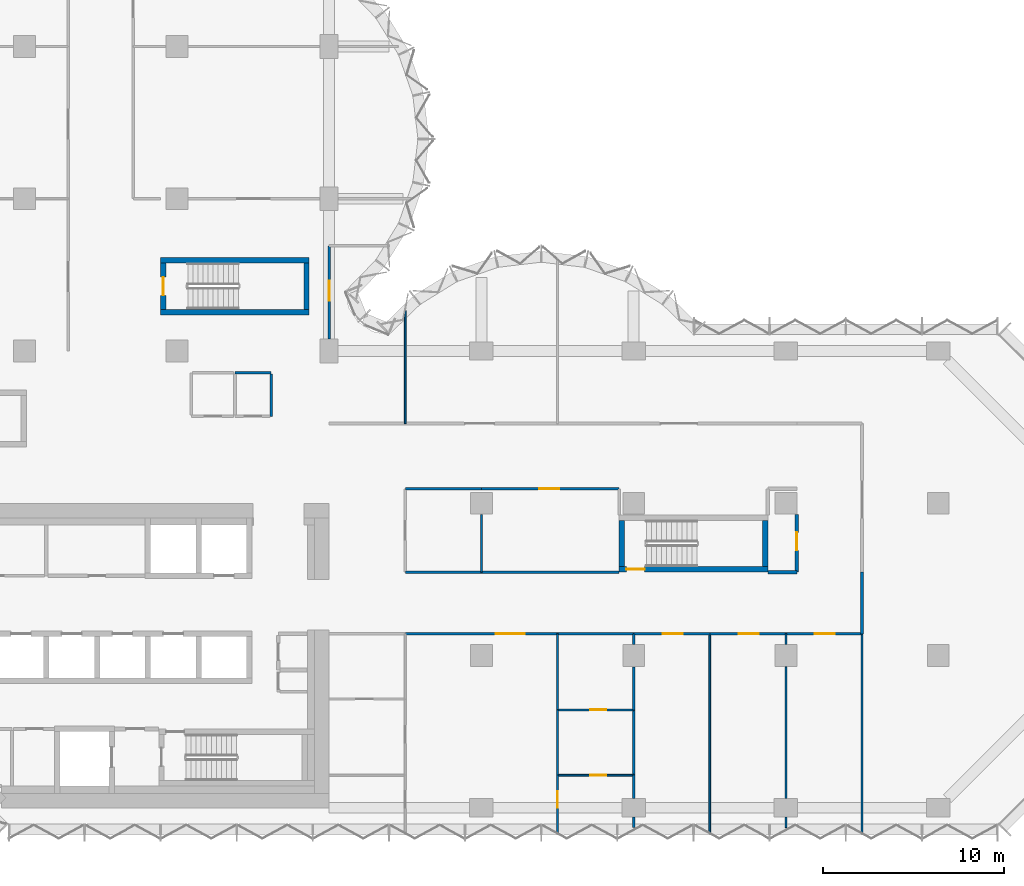
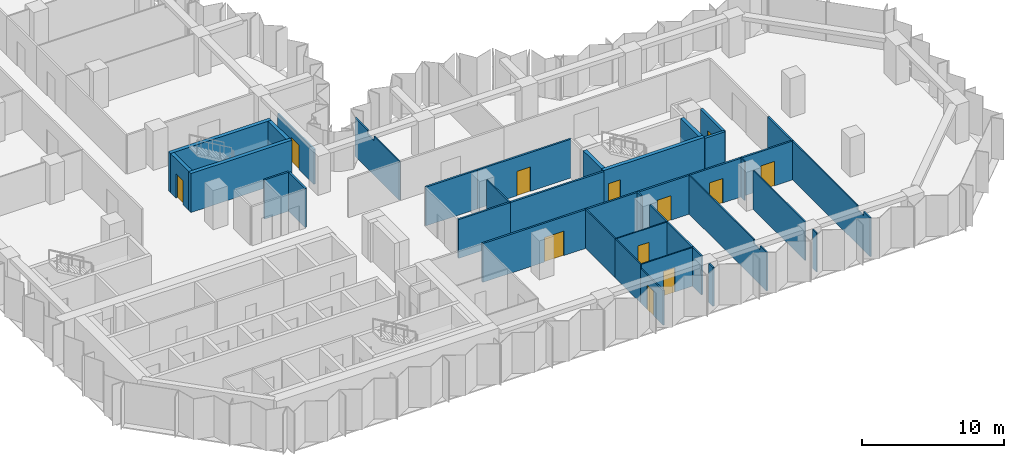
# One storey, part 9 of 13: 39 walls, 12 doors, 12 openings.
"""IFC4 building model written with IfcOpenShell, lengths in metres."""

from ifc_helpers import new_model, si_unit, direction, frame, frame_2d, origin, place, context, subcontext, project, spatial, polyline, rectangle, outline, extrude, material, layer, layer_set, type_object, element, fill, save


model = new_model("IFC4")

# Units and contexts
model_context = context("Model", 3, precision=1e-05, world=origin(), true_north=direction((0.0, 1.0)))
body_context = subcontext(model_context, "Body", "Model", "MODEL_VIEW")
ifc_project = project(units=[si_unit("LENGTHUNIT", "METRE"), si_unit("AREAUNIT", "SQUARE_METRE"), si_unit("VOLUMEUNIT", "CUBIC_METRE"), si_unit("PLANEANGLEUNIT", "RADIAN"), si_unit("MASSUNIT", "GRAM", prefix="KILO")], contexts=[model_context])

# Site, building, storey
site_placement = place(None, origin())
site = spatial("IfcSite", under=ifc_project, at=site_placement, CompositionType="ELEMENT")
building_placement = place(site_placement, origin())
building = spatial("IfcBuilding", under=site, at=building_placement, Name="Brevane Broadcast Tower", CompositionType="ELEMENT")
storey_placement = place(building_placement, frame((0.0, 0.0, 102.5)))
storey = spatial("IfcBuildingStorey", under=building, at=storey_placement, Name="L24", CompositionType="ELEMENT", Elevation=102.5)

# Walls
ifc_material_1 = material(Name="Gypsum board on steel studs", Category="steel")
ifc_layer_1 = layer(ifc_material_1, 0.14990234375)
ifc_layer_set_1 = layer_set([ifc_layer_1], Name="Core fire partition 150 mm")
wall_type_1 = type_object("IfcWallType", Name="Core fire partition 150 mm", PredefinedType="PARTITIONING", material=ifc_layer_set_1)
wall_1_placement = place(storey_placement, frame((20.0, 24.0, 0.0), z_axis=(0.0, 0.0, 1.0), x_axis=(1.0, 0.0, 0.0)))
element("IfcWall", 1, at=wall_1_placement, inside=storey, type_object=wall_type_1, Name="L24 partition wall P15", PredefinedType="PARTITIONING", context=body_context, shape_type="SweptSolid", body=[
    extrude(rectangle(XDim=2.0, YDim=0.14990234375, at=frame_2d((1.0, 0.0))), origin(), (0.0, 0.0, 1.0), 3.35009765625),
])
wall_2_placement = place(storey_placement, frame((22.0, 23.925048828125, 0.0), z_axis=(0.0, 0.0, 1.0), x_axis=(0.0, -1.0, 0.0)))
element("IfcWall", 2, at=wall_2_placement, inside=storey, type_object=wall_type_1, Name="L24 partition wall P16", PredefinedType="PARTITIONING", context=body_context, shape_type="SweptSolid", body=[
    extrude(rectangle(XDim=2.324951171875, YDim=0.14990234375, at=frame_2d((1.16259765625, 0.0))), origin(), (0.0, 0.0, 1.0), 3.35009765625),
])
ifc_material_2 = material(Name="Concrete C60/75", Category="concrete")
ifc_layer_2 = layer(ifc_material_2, 0.300048828125)
ifc_layer_set_2 = layer_set([ifc_layer_2], Name="Core wall 300 mm C60/75")
wall_type_2 = type_object("IfcWallType", Name="Core wall 300 mm C60/75", PredefinedType="SHEAR", material=ifc_layer_set_2)
for number, where, z_axis, x_axis, name in (
    (3, (15.89990234375, 27.35009765625, 0.0), (0.0, 0.0, 1.0), (1.0, 0.0, 0.0), "L24 stair wall ST-3-S"),
    (4, (15.89990234375, 30.199951171875, 0.0), (0.0, 0.0, 1.0), (1.0, 0.0, 0.0), "L24 stair wall ST-3-N"),
):
    element("IfcWall", number, at=place(storey_placement, frame(where, z_axis=z_axis, x_axis=x_axis)), inside=storey, type_object=wall_type_2, Name=name, PredefinedType="SHEAR", context=body_context, shape_type="SweptSolid", body=[
        extrude(rectangle(XDim=8.2001953125, YDim=0.300048828125, at=frame_2d((4.10009765625, 0.0))), origin(), (0.0, 0.0, 1.0), 3.35009765625),
    ])

# Wall, opening, door
wall_3_placement = place(storey_placement, frame((16.050048828125, 27.5, 0.0), z_axis=(0.0, 0.0, 1.0), x_axis=(0.0, 1.0, 0.0)))
wall_3 = element("IfcWall", 5, at=wall_3_placement, inside=storey, type_object=wall_type_2, Name="L24 stair wall ST-3-W", PredefinedType="SHEAR", context=body_context, shape_type="SweptSolid", body=[
    extrude(rectangle(XDim=2.550048828125, YDim=0.300048828125, at=frame_2d((1.27490234375, 0.0))), origin(), (0.0, 0.0, 1.0), 3.35009765625),
])
opening_1_placement = place(wall_3_placement, frame((0.77490234375, 0.0, 0.0)))
opening_1 = element("IfcOpeningElement", 6, at=opening_1_placement, cuts=wall_3, Name="Opening L24-K14", PredefinedType="OPENING", context=body_context, shape_type="SweptSolid", body=[
    extrude(rectangle(XDim=1.0, YDim=2.10009765625, at=frame_2d((0.5, 1.050048828125))), frame((0.0, 0.159912109375, 0.0), z_axis=(0.0, -1.0, 0.0), x_axis=(1.0, 0.0, 0.0)), (0.0, 0.0, 1.0), 0.320068359375),
])
ifc_material_3 = material(Name="Steel", Category="steel")
door_type_1 = type_object("IfcDoorType", Name="Stair door 1000 x 2100", OperationType="SINGLE_SWING_LEFT", PredefinedType="DOOR", material=ifc_material_3)
door_1_placement = place(opening_1_placement, origin())
door_1 = element("IfcDoor", 7, at=door_1_placement, inside=storey, type_object=door_type_1, Name="Door L24-K14", OperationType="SINGLE_SWING_RIGHT", OverallHeight=2.10009765625, OverallWidth=1.0, PredefinedType="DOOR", context=body_context, shape_type="SweptSolid", body=[
    extrude(rectangle(XDim=1.0, YDim=2.10009765625, at=frame_2d((0.5, 1.050048828125))), frame((0.0, 0.02490234375, 0.0), z_axis=(0.0, -1.0, 0.0), x_axis=(1.0, 0.0, 0.0)), (0.0, 0.0, 1.0), 0.050048828125),
])
fill(opening_1, door_1)

# Wall
wall_4_placement = place(storey_placement, frame((23.949951171875, 27.5, 0.0), z_axis=(0.0, 0.0, 1.0), x_axis=(0.0, 1.0, 0.0)))
element("IfcWall", 8, at=wall_4_placement, inside=storey, type_object=wall_type_2, Name="L24 stair wall ST-3-E", PredefinedType="SHEAR", context=body_context, shape_type="SweptSolid", body=[
    extrude(rectangle(XDim=2.550048828125, YDim=0.300048828125, at=frame_2d((1.27490234375, 0.0))), origin(), (0.0, 0.0, 1.0), 3.35009765625),
])

# Wall, opening, door
wall_5_placement = place(storey_placement, frame((49.39990234375, 13.14990234375, 0.0), z_axis=(0.0, 0.0, 1.0), x_axis=(-1.0, 0.0, 0.0)))
wall_5 = element("IfcWall", 9, at=wall_5_placement, inside=storey, type_object=wall_type_2, Name="L24 stair wall ST-4-S", PredefinedType="SHEAR", context=body_context, shape_type="SweptSolid", body=[
    extrude(rectangle(XDim=8.199951171875, YDim=0.300048828125, at=frame_2d((4.10009765625, 0.0))), origin(), (0.0, 0.0, 1.0), 3.35009765625),
])
opening_2_placement = place(wall_5_placement, frame((6.800048828125, 0.0, 0.0)))
opening_2 = element("IfcOpeningElement", 10, at=opening_2_placement, cuts=wall_5, Name="Opening L24-K15", PredefinedType="OPENING", context=body_context, shape_type="SweptSolid", body=[
    extrude(rectangle(XDim=1.0, YDim=2.10009765625, at=frame_2d((0.5, 1.050048828125))), frame((0.0, 0.159912109375, 0.0), z_axis=(0.0, -1.0, 0.0), x_axis=(1.0, 0.0, 0.0)), (0.0, 0.0, 1.0), 0.320068359375),
])
door_2_placement = place(opening_2_placement, origin())
door_2 = element("IfcDoor", 11, at=door_2_placement, inside=storey, type_object=door_type_1, Name="Door L24-K15", OperationType="SINGLE_SWING_LEFT", OverallHeight=2.10009765625, OverallWidth=1.0, PredefinedType="DOOR", context=body_context, shape_type="SweptSolid", body=[
    extrude(rectangle(XDim=1.0, YDim=2.10009765625, at=frame_2d((0.5, 1.050048828125))), frame((0.0, 0.02490234375, 0.0), z_axis=(0.0, -1.0, 0.0), x_axis=(1.0, 0.0, 0.0)), (0.0, 0.0, 1.0), 0.050048828125),
])
fill(opening_2, door_2)

# Walls
for number, where, z_axis, x_axis, name in (
    (12, (41.35009765625, 13.300048828125, 0.0), (0.0, 0.0, 1.0), (0.0, 1.0, 0.0), "L24 stair wall ST-4-W"),
    (13, (49.25, 13.300048828125, 0.0), (0.0, 0.0, 1.0), (0.0, 1.0, 0.0), "L24 stair wall ST-4-E"),
):
    element("IfcWall", number, at=place(storey_placement, frame(where, z_axis=z_axis, x_axis=x_axis)), inside=storey, type_object=wall_type_2, Name=name, PredefinedType="SHEAR", context=body_context, shape_type="SweptSolid", body=[
        extrude(rectangle(XDim=2.550048828125, YDim=0.300048828125, at=frame_2d((1.27490234375, 0.0))), origin(), (0.0, 0.0, 1.0), 3.35009765625),
    ])
ifc_material_4 = material(Name="Gypsum board partition")
ifc_layer_3 = layer(ifc_material_4, 0.10009765625)
ifc_layer_set_3 = layer_set([ifc_layer_3], Name="PARTITION 100 STUD")
wall_type_3 = type_object("IfcWallType", Name="PARTITION 100 STUD", PredefinedType="PARTITIONING", material=ifc_layer_set_3)
wall_6_placement = place(storey_placement, frame((29.39990234375, 27.428955078125, 0.0), z_axis=(0.0, 0.0, 1.0), x_axis=(0.0, -1.0, 0.0)))
element("IfcWall", 14, at=wall_6_placement, inside=storey, type_object=wall_type_3, Name="Partition G07-004", PredefinedType="PARTITIONING", context=body_context, shape_type="SweptSolid", body=[
    extrude(outline(polyline([(0.0, 0.0), (6.22900390625, 0.0), (6.22900390625, 3.330078125), (2.678955078125, 3.330078125), (2.677001953125, 2.97998046875), (1.781005859375, 2.97998046875), (1.779052734375, 3.330078125), (0.154052734375, 3.330078125), (0.0, 3.330078125), (0.0, 0.0)])), frame((0.0, 0.050048828125, 0.0), z_axis=(0.0, -1.0, 0.0), x_axis=(1.0, 0.0, 0.0)), (0.0, 0.0, 1.0), 0.10009765625),
])
wall_7_placement = place(storey_placement, frame((54.60009765625, -1.364990234375, 0.0), z_axis=(0.0, 0.0, 1.0), x_axis=(0.0, 1.0, 0.0)))
element("IfcWall", 15, at=wall_7_placement, inside=storey, type_object=wall_type_3, Name="Partition G07-017", PredefinedType="PARTITIONING", context=body_context, shape_type="SweptSolid", body=[
    extrude(outline(polyline([(0.0, 0.0), (10.965087890625, 0.0), (10.965087890625, 3.330078125), (1.81494140625, 3.330078125), (1.81298828125, 2.97998046875), (0.9169921875, 2.97998046875), (0.9150390625, 3.330078125), (0.264892578125, 3.330078125), (0.0, 3.330078125), (0.0, 0.0)])), frame((0.0, 0.050048828125, 0.0), z_axis=(0.0, -1.0, 0.0), x_axis=(1.0, 0.0, 0.0)), (0.0, 0.0, 1.0), 0.10009765625),
])
wall_8_placement = place(storey_placement, frame((33.60009765625, 16.179931640625, 0.0), z_axis=(0.0, 0.0, 1.0), x_axis=(0.0, -1.0, 0.0)))
element("IfcWall", 16, at=wall_8_placement, inside=storey, type_object=wall_type_3, Name="Partition G07-027", PredefinedType="PARTITIONING", context=body_context, shape_type="SweptSolid", body=[
    extrude(rectangle(XDim=3.179931640625, YDim=0.10009765625, at=frame_2d((1.58984375, 0.0))), origin(), (0.0, 0.0, 1.0), 3.330078125),
])

# Wall, opening, door
wall_9_placement = place(storey_placement, frame((37.800048828125, 1.800048828125, 0.0), z_axis=(0.0, 0.0, 1.0), x_axis=(0.0, -1.0, 0.0)))
wall_9 = element("IfcWall", 17, at=wall_9_placement, inside=storey, type_object=wall_type_3, Name="Partition G07-028", PredefinedType="PARTITIONING", context=body_context, shape_type="SweptSolid", body=[
    extrude(rectangle(XDim=3.1650390625, YDim=0.10009765625, at=frame_2d((1.58251953125, 0.0))), origin(), (0.0, 0.0, 1.0), 2.97998046875),
])
opening_3_placement = place(wall_9_placement, frame((0.89990234375, 0.0, 0.0)))
opening_3 = element("IfcOpeningElement", 18, at=opening_3_placement, cuts=wall_9, Name="Opening D14-007", PredefinedType="OPENING", context=body_context, shape_type="SweptSolid", body=[
    extrude(rectangle(XDim=0.89990234375, YDim=2.10009765625, at=frame_2d((0.449951171875, 1.050048828125))), frame((0.0, 0.06005859375, 0.0), z_axis=(0.0, -1.0, 0.0), x_axis=(1.0, 0.0, 0.0)), (0.0, 0.0, 1.0), 0.1201171875),
])
ifc_material_5 = material(Name="Timber door leaf", Category="wood")
door_type_2 = type_object("IfcDoorType", Name="DOOR SINGLE 900 INTERNAL", OperationType="SINGLE_SWING_LEFT", PredefinedType="DOOR", material=ifc_material_5)
door_3_placement = place(opening_3_placement, origin())
door_3 = element("IfcDoor", 19, at=door_3_placement, inside=storey, type_object=door_type_2, Name="Door D14-007", OperationType="SINGLE_SWING_LEFT", OverallHeight=2.10009765625, OverallWidth=0.89990234375, PredefinedType="DOOR", context=body_context, shape_type="SweptSolid", body=[
    extrude(rectangle(XDim=0.89990234375, YDim=2.10009765625, at=frame_2d((0.449951171875, 1.050048828125))), frame((0.0, 0.02490234375, 0.0), z_axis=(0.0, -1.0, 0.0), x_axis=(1.0, 0.0, 0.0)), (0.0, 0.0, 1.0), 0.050048828125),
])
fill(opening_3, door_3)

# Walls
wall_10_placement = place(storey_placement, frame((37.800048828125, 5.39990234375, 0.0), z_axis=(0.0, 0.0, 1.0), x_axis=(0.0, -1.0, 0.0)))
element("IfcWall", 20, at=wall_10_placement, inside=storey, type_object=wall_type_3, Name="Partition G07-029", PredefinedType="PARTITIONING", context=body_context, shape_type="SweptSolid", body=[
    extrude(rectangle(XDim=3.599853515625, YDim=0.10009765625, at=frame_2d((1.7998046875, 0.0))), origin(), (0.0, 0.0, 1.0), 3.330078125),
])
wall_11_placement = place(storey_placement, frame((37.800048828125, 9.60009765625, 0.0), z_axis=(0.0, 0.0, 1.0), x_axis=(0.0, -1.0, 0.0)))
element("IfcWall", 21, at=wall_11_placement, inside=storey, type_object=wall_type_3, Name="Partition G07-030", PredefinedType="PARTITIONING", context=body_context, shape_type="SweptSolid", body=[
    extrude(rectangle(XDim=4.2001953125, YDim=0.10009765625, at=frame_2d((2.10009765625, 0.0))), origin(), (0.0, 0.0, 1.0), 3.330078125),
])

# Wall, opening, door
wall_12_placement = place(storey_placement, frame((37.800048828125, 1.800048828125, 0.0), z_axis=(0.0, 0.0, 1.0), x_axis=(1.0, 0.0, 0.0)))
wall_12 = element("IfcWall", 22, at=wall_12_placement, inside=storey, type_object=wall_type_3, Name="Partition G07-034", PredefinedType="PARTITIONING", context=body_context, shape_type="SweptSolid", body=[
    extrude(rectangle(XDim=4.199951171875, YDim=0.10009765625, at=frame_2d((2.10009765625, 0.0))), origin(), (0.0, 0.0, 1.0), 3.330078125),
])
opening_4_placement = place(wall_12_placement, frame((1.800048828125, 0.0, 0.0)))
opening_4 = element("IfcOpeningElement", 23, at=opening_4_placement, cuts=wall_12, Name="Opening D14-008", PredefinedType="OPENING", context=body_context, shape_type="SweptSolid", body=[
    extrude(rectangle(XDim=0.89990234375, YDim=2.10009765625, at=frame_2d((0.449951171875, 1.050048828125))), frame((0.0, 0.06005859375, 0.0), z_axis=(0.0, -1.0, 0.0), x_axis=(1.0, 0.0, 0.0)), (0.0, 0.0, 1.0), 0.1201171875),
])
door_4_placement = place(opening_4_placement, origin())
door_4 = element("IfcDoor", 24, at=door_4_placement, inside=storey, type_object=door_type_2, Name="Door D14-008", OperationType="SINGLE_SWING_LEFT", OverallHeight=2.10009765625, OverallWidth=0.89990234375, PredefinedType="DOOR", context=body_context, shape_type="SweptSolid", body=[
    extrude(rectangle(XDim=0.89990234375, YDim=2.10009765625, at=frame_2d((0.449951171875, 1.050048828125))), frame((0.0, 0.02490234375, 0.0), z_axis=(0.0, -1.0, 0.0), x_axis=(1.0, 0.0, 0.0)), (0.0, 0.0, 1.0), 0.050048828125),
])
fill(opening_4, door_4)

wall_13_placement = place(storey_placement, frame((37.800048828125, 5.39990234375, 0.0), z_axis=(0.0, 0.0, 1.0), x_axis=(1.0, 0.0, 0.0)))
wall_13 = element("IfcWall", 25, at=wall_13_placement, inside=storey, type_object=wall_type_3, Name="Partition G07-037", PredefinedType="PARTITIONING", context=body_context, shape_type="SweptSolid", body=[
    extrude(rectangle(XDim=4.199951171875, YDim=0.10009765625, at=frame_2d((2.10009765625, 0.0))), origin(), (0.0, 0.0, 1.0), 3.330078125),
])
opening_5_placement = place(wall_13_placement, frame((1.800048828125, 0.0, 0.0)))
opening_5 = element("IfcOpeningElement", 26, at=opening_5_placement, cuts=wall_13, Name="Opening D14-009", PredefinedType="OPENING", context=body_context, shape_type="SweptSolid", body=[
    extrude(rectangle(XDim=0.89990234375, YDim=2.10009765625, at=frame_2d((0.449951171875, 1.050048828125))), frame((0.0, 0.06005859375, 0.0), z_axis=(0.0, -1.0, 0.0), x_axis=(1.0, 0.0, 0.0)), (0.0, 0.0, 1.0), 0.1201171875),
])
door_5_placement = place(opening_5_placement, origin())
door_5 = element("IfcDoor", 27, at=door_5_placement, inside=storey, type_object=door_type_2, Name="Door D14-009", OperationType="SINGLE_SWING_LEFT", OverallHeight=2.10009765625, OverallWidth=0.89990234375, PredefinedType="DOOR", context=body_context, shape_type="SweptSolid", body=[
    extrude(rectangle(XDim=0.89990234375, YDim=2.10009765625, at=frame_2d((0.449951171875, 1.050048828125))), frame((0.0, 0.02490234375, 0.0), z_axis=(0.0, -1.0, 0.0), x_axis=(1.0, 0.0, 0.0)), (0.0, 0.0, 1.0), 0.050048828125),
])
fill(opening_5, door_5)

# Walls
wall_14_placement = place(storey_placement, frame((46.199951171875, 9.60009765625, 0.0), z_axis=(0.0, 0.0, 1.0), x_axis=(0.0, -1.0, 0.0)))
element("IfcWall", 28, at=wall_14_placement, inside=storey, type_object=wall_type_3, Name="Partition G07-043", PredefinedType="PARTITIONING", context=body_context, shape_type="SweptSolid", body=[
    extrude(outline(polyline([(0.0, 0.0), (10.965087890625, 0.0), (10.965087890625, 3.330078125), (10.699951171875, 3.330078125), (10.050048828125, 3.330078125), (10.048095703125, 2.97998046875), (9.152099609375, 2.97998046875), (9.14990234375, 3.330078125), (0.0, 3.330078125), (0.0, 0.0)])), frame((0.0, 0.050048828125, 0.0), z_axis=(0.0, -1.0, 0.0), x_axis=(1.0, 0.0, 0.0)), (0.0, 0.0, 1.0), 0.10009765625),
])
wall_15_placement = place(storey_placement, frame((50.39990234375, 9.60009765625, 0.0), z_axis=(0.0, 0.0, 1.0), x_axis=(0.0, -1.0, 0.0)))
element("IfcWall", 29, at=wall_15_placement, inside=storey, type_object=wall_type_3, Name="Partition G07-044", PredefinedType="PARTITIONING", context=body_context, shape_type="SweptSolid", body=[
    extrude(rectangle(XDim=0.580078125, YDim=0.10009765625, at=frame_2d((0.2900390625, 0.0))), origin(), (0.0, 0.0, 1.0), 3.330078125),
])
wall_16_placement = place(storey_placement, frame((50.39990234375, 7.780029296875, 0.0), z_axis=(0.0, 0.0, 1.0), x_axis=(0.0, -1.0, 0.0)))
element("IfcWall", 30, at=wall_16_placement, inside=storey, type_object=wall_type_3, Name="Partition G07-045", PredefinedType="PARTITIONING", context=body_context, shape_type="SweptSolid", body=[
    extrude(rectangle(XDim=7.260009765625, YDim=0.10009765625, at=frame_2d((3.6298828125, 0.0))), origin(), (0.0, 0.0, 1.0), 3.330078125),
])
wall_17_placement = place(storey_placement, frame((50.39990234375, -0.52001953125, 0.0), z_axis=(0.0, 0.0, 1.0), x_axis=(0.0, -1.0, 0.0)))
element("IfcWall", 31, at=wall_17_placement, inside=storey, type_object=wall_type_3, Name="Partition G07-046", PredefinedType="PARTITIONING", context=body_context, shape_type="SweptSolid", body=[
    extrude(rectangle(XDim=0.580078125, YDim=0.10009765625, at=frame_2d((0.2900390625, 0.0))), origin(), (0.0, 0.0, 1.0), 3.330078125),
])
ifc_layer_4 = layer(ifc_material_4, 0.125)
ifc_layer_set_4 = layer_set([ifc_layer_4], Name="PARTITION 125 ACOUSTIC")
wall_type_4 = type_object("IfcWallType", Name="PARTITION 125 ACOUSTIC", PredefinedType="PARTITIONING", material=ifc_layer_set_4)
wall_18_placement = place(storey_placement, frame((42.0, 1.800048828125, 0.0), z_axis=(0.0, 0.0, 1.0), x_axis=(0.0, -1.0, 0.0)))
element("IfcWall", 32, at=wall_18_placement, inside=storey, type_object=wall_type_4, Name="Partition G07-035", PredefinedType="PARTITIONING", context=body_context, shape_type="SweptSolid", body=[
    extrude(rectangle(XDim=1.280029296875, YDim=0.125, at=frame_2d((0.64013671875, 0.0))), origin(), (0.0, 0.0, 1.0), 3.330078125),
])
wall_19_placement = place(storey_placement, frame((42.0, -0.52001953125, 0.0), z_axis=(0.0, 0.0, 1.0), x_axis=(0.0, -1.0, 0.0)))
element("IfcWall", 33, at=wall_19_placement, inside=storey, type_object=wall_type_4, Name="Partition G07-036", PredefinedType="PARTITIONING", context=body_context, shape_type="SweptSolid", body=[
    extrude(rectangle(XDim=0.580078125, YDim=0.125, at=frame_2d((0.2900390625, 0.0))), origin(), (0.0, 0.0, 1.0), 3.330078125),
])
wall_20_placement = place(storey_placement, frame((42.0, 5.39990234375, 0.0), z_axis=(0.0, 0.0, 1.0), x_axis=(0.0, -1.0, 0.0)))
element("IfcWall", 34, at=wall_20_placement, inside=storey, type_object=wall_type_4, Name="Partition G07-038", PredefinedType="PARTITIONING", context=body_context, shape_type="SweptSolid", body=[
    extrude(rectangle(XDim=3.599853515625, YDim=0.125, at=frame_2d((1.7998046875, 0.0))), origin(), (0.0, 0.0, 1.0), 3.330078125),
])
wall_21_placement = place(storey_placement, frame((42.0, 9.60009765625, 0.0), z_axis=(0.0, 0.0, 1.0), x_axis=(0.0, -1.0, 0.0)))
element("IfcWall", 35, at=wall_21_placement, inside=storey, type_object=wall_type_4, Name="Partition G07-039", PredefinedType="PARTITIONING", context=body_context, shape_type="SweptSolid", body=[
    extrude(rectangle(XDim=0.580078125, YDim=0.125, at=frame_2d((0.2900390625, 0.0))), origin(), (0.0, 0.0, 1.0), 3.330078125),
])
wall_22_placement = place(storey_placement, frame((42.0, 7.780029296875, 0.0), z_axis=(0.0, 0.0, 1.0), x_axis=(0.0, -1.0, 0.0)))
element("IfcWall", 36, at=wall_22_placement, inside=storey, type_object=wall_type_4, Name="Partition G07-040", PredefinedType="PARTITIONING", context=body_context, shape_type="SweptSolid", body=[
    extrude(rectangle(XDim=2.380126953125, YDim=0.125, at=frame_2d((1.18994140625, 0.0))), origin(), (0.0, 0.0, 1.0), 3.330078125),
])

# Wall, opening, door
ifc_layer_5 = layer(ifc_material_4, 0.14990234375)
ifc_layer_set_5 = layer_set([ifc_layer_5], Name="PARTITION 150 EI 60")
wall_type_5 = type_object("IfcWallType", Name="PARTITION 150 EI 60", PredefinedType="PARTITIONING", material=ifc_layer_set_5)
wall_23_placement = place(storey_placement, frame((25.199951171875, 31.0, 0.0), z_axis=(0.0, 0.0, 1.0), x_axis=(0.0, -1.0, 0.0)))
wall_23 = element("IfcWall", 37, at=wall_23_placement, inside=storey, type_object=wall_type_5, Name="Partition G07-005", PredefinedType="PARTITIONING", context=body_context, shape_type="SweptSolid", body=[
    extrude(outline(polyline([(0.0, 0.0), (5.1298828125, 0.0), (5.1298828125, 2.97998046875), (0.0, 2.97998046875), (0.0, 0.0)])), frame((0.0, 0.074951171875, 0.0), z_axis=(0.0, -1.0, 0.0), x_axis=(1.0, 0.0, 0.0)), (0.0, 0.0, 1.0), 0.14990234375),
])
opening_6_placement = place(wall_23_placement, frame((1.929931640625, 0.0, 0.0)))
opening_6 = element("IfcOpeningElement", 38, at=opening_6_placement, cuts=wall_23, Name="Opening D14-001", PredefinedType="OPENING", context=body_context, shape_type="SweptSolid", body=[
    extrude(rectangle(XDim=1.10009765625, YDim=2.10009765625, at=frame_2d((0.550048828125, 1.050048828125))), frame((0.0, 0.0849609375, 0.0), z_axis=(0.0, -1.0, 0.0), x_axis=(1.0, 0.0, 0.0)), (0.0, 0.0, 1.0), 0.169921875),
])
ifc_material_6 = material(Name="Fire-rated timber door leaf", Category="wood")
door_type_3 = type_object("IfcDoorType", Name="DOOR SINGLE 1100 FD30S", OperationType="SINGLE_SWING_LEFT", PredefinedType="DOOR", material=ifc_material_6)
door_6_placement = place(opening_6_placement, origin())
door_6 = element("IfcDoor", 39, at=door_6_placement, inside=storey, type_object=door_type_3, Name="Door D14-001", OperationType="SINGLE_SWING_RIGHT", OverallHeight=2.10009765625, OverallWidth=1.10009765625, PredefinedType="DOOR", context=body_context, shape_type="SweptSolid", body=[
    extrude(rectangle(XDim=1.10009765625, YDim=2.10009765625, at=frame_2d((0.550048828125, 1.050048828125))), frame((0.0, 0.02490234375, 0.0), z_axis=(0.0, -1.0, 0.0), x_axis=(1.0, 0.0, 0.0)), (0.0, 0.0, 1.0), 0.050048828125),
])
fill(opening_6, door_6)

# Walls
wall_24_placement = place(storey_placement, frame((54.60009765625, 13.0, 0.0), z_axis=(0.0, 0.0, 1.0), x_axis=(0.0, -1.0, 0.0)))
element("IfcWall", 40, at=wall_24_placement, inside=storey, type_object=wall_type_5, Name="Partition G07-007", PredefinedType="PARTITIONING", context=body_context, shape_type="SweptSolid", body=[
    extrude(rectangle(XDim=3.39990234375, YDim=0.14990234375, at=frame_2d((1.699951171875, 0.0))), origin(), (0.0, 0.0, 1.0), 3.330078125),
])
wall_25_placement = place(storey_placement, frame((29.39990234375, 13.0, 0.0), z_axis=(0.0, 0.0, 1.0), x_axis=(1.0, 0.0, 0.0)))
element("IfcWall", 41, at=wall_25_placement, inside=storey, type_object=wall_type_5, Name="Partition G07-008", PredefinedType="PARTITIONING", context=body_context, shape_type="SweptSolid", body=[
    extrude(rectangle(XDim=4.2001953125, YDim=0.14990234375, at=frame_2d((2.10009765625, 0.0))), origin(), (0.0, 0.0, 1.0), 3.330078125),
])
wall_26_placement = place(storey_placement, frame((33.60009765625, 13.0, 0.0), z_axis=(0.0, 0.0, 1.0), x_axis=(1.0, 0.0, 0.0)))
element("IfcWall", 42, at=wall_26_placement, inside=storey, type_object=wall_type_5, Name="Partition G07-009", PredefinedType="PARTITIONING", context=body_context, shape_type="SweptSolid", body=[
    extrude(rectangle(XDim=7.599853515625, YDim=0.14990234375, at=frame_2d((3.7998046875, 0.0))), origin(), (0.0, 0.0, 1.0), 3.330078125),
])

# Wall, opening, door
wall_27_placement = place(storey_placement, frame((37.800048828125, 9.60009765625, 0.0), z_axis=(0.0, 0.0, 1.0), x_axis=(-1.0, 0.0, 0.0)))
wall_27 = element("IfcWall", 43, at=wall_27_placement, inside=storey, type_object=wall_type_5, Name="Partition G07-011", PredefinedType="PARTITIONING", context=body_context, shape_type="SweptSolid", body=[
    extrude(rectangle(XDim=8.400146484375, YDim=0.14990234375, at=frame_2d((4.2001953125, 0.0))), origin(), (0.0, 0.0, 1.0), 3.330078125),
])
opening_7_placement = place(wall_27_placement, frame((1.800048828125, 0.0, 0.0)))
opening_7 = element("IfcOpeningElement", 44, at=opening_7_placement, cuts=wall_27, Name="Opening D14-006", PredefinedType="OPENING", context=body_context, shape_type="SweptSolid", body=[
    extrude(rectangle(XDim=1.60009765625, YDim=2.10009765625, at=frame_2d((0.800048828125, 1.050048828125))), frame((0.0, 0.0849609375, 0.0), z_axis=(0.0, -1.0, 0.0), x_axis=(1.0, 0.0, 0.0)), (0.0, 0.0, 1.0), 0.169921875),
])
door_type_4 = type_object("IfcDoorType", Name="DOOR DOUBLE 1600 FD30S", OperationType="DOUBLE_DOOR_SINGLE_SWING", PredefinedType="DOOR", material=ifc_material_6)
door_7_placement = place(opening_7_placement, origin())
door_7 = element("IfcDoor", 45, at=door_7_placement, inside=storey, type_object=door_type_4, Name="Door D14-006", OperationType="DOUBLE_DOOR_SINGLE_SWING", OverallHeight=2.10009765625, OverallWidth=1.60009765625, PredefinedType="DOOR", context=body_context, shape_type="SweptSolid", body=[
    extrude(rectangle(XDim=1.60009765625, YDim=2.10009765625, at=frame_2d((0.800048828125, 1.050048828125))), frame((0.0, 0.02490234375, 0.0), z_axis=(0.0, -1.0, 0.0), x_axis=(1.0, 0.0, 0.0)), (0.0, 0.0, 1.0), 0.050048828125),
])
fill(opening_7, door_7)

# Wall
wall_28_placement = place(storey_placement, frame((42.0, 9.60009765625, 0.0), z_axis=(0.0, 0.0, 1.0), x_axis=(-1.0, 0.0, 0.0)))
element("IfcWall", 46, at=wall_28_placement, inside=storey, type_object=wall_type_5, Name="Partition G07-012", PredefinedType="PARTITIONING", context=body_context, shape_type="SweptSolid", body=[
    extrude(rectangle(XDim=4.199951171875, YDim=0.14990234375, at=frame_2d((2.10009765625, 0.0))), origin(), (0.0, 0.0, 1.0), 3.330078125),
])

# Wall, opening, door
wall_29_placement = place(storey_placement, frame((46.199951171875, 9.60009765625, 0.0), z_axis=(0.0, 0.0, 1.0), x_axis=(-1.0, 0.0, 0.0)))
wall_29 = element("IfcWall", 47, at=wall_29_placement, inside=storey, type_object=wall_type_5, Name="Partition G07-013", PredefinedType="PARTITIONING", context=body_context, shape_type="SweptSolid", body=[
    extrude(rectangle(XDim=4.199951171875, YDim=0.14990234375, at=frame_2d((2.10009765625, 0.0))), origin(), (0.0, 0.0, 1.0), 3.330078125),
])
opening_8_placement = place(wall_29_placement, frame((1.5, 0.0, 0.0)))
opening_8 = element("IfcOpeningElement", 48, at=opening_8_placement, cuts=wall_29, Name="Opening D14-013", PredefinedType="OPENING", context=body_context, shape_type="SweptSolid", body=[
    extrude(rectangle(XDim=1.10009765625, YDim=2.10009765625, at=frame_2d((0.550048828125, 1.050048828125))), frame((0.0, 0.0849609375, 0.0), z_axis=(0.0, -1.0, 0.0), x_axis=(1.0, 0.0, 0.0)), (0.0, 0.0, 1.0), 0.169921875),
])
door_8_placement = place(opening_8_placement, origin())
door_8 = element("IfcDoor", 49, at=door_8_placement, inside=storey, type_object=door_type_3, Name="Door D14-013", OperationType="SINGLE_SWING_LEFT", OverallHeight=2.10009765625, OverallWidth=1.10009765625, PredefinedType="DOOR", context=body_context, shape_type="SweptSolid", body=[
    extrude(rectangle(XDim=1.10009765625, YDim=2.10009765625, at=frame_2d((0.550048828125, 1.050048828125))), frame((0.0, 0.02490234375, 0.0), z_axis=(0.0, -1.0, 0.0), x_axis=(1.0, 0.0, 0.0)), (0.0, 0.0, 1.0), 0.050048828125),
])
fill(opening_8, door_8)

wall_30_placement = place(storey_placement, frame((50.39990234375, 9.60009765625, 0.0), z_axis=(0.0, 0.0, 1.0), x_axis=(-1.0, 0.0, 0.0)))
wall_30 = element("IfcWall", 50, at=wall_30_placement, inside=storey, type_object=wall_type_5, Name="Partition G07-014", PredefinedType="PARTITIONING", context=body_context, shape_type="SweptSolid", body=[
    extrude(rectangle(XDim=4.199951171875, YDim=0.14990234375, at=frame_2d((2.10009765625, 0.0))), origin(), (0.0, 0.0, 1.0), 3.330078125),
])
opening_9_placement = place(wall_30_placement, frame((1.5, 0.0, 0.0)))
opening_9 = element("IfcOpeningElement", 51, at=opening_9_placement, cuts=wall_30, Name="Opening D14-014", PredefinedType="OPENING", context=body_context, shape_type="SweptSolid", body=[
    extrude(rectangle(XDim=1.10009765625, YDim=2.10009765625, at=frame_2d((0.550048828125, 1.050048828125))), frame((0.0, 0.0849609375, 0.0), z_axis=(0.0, -1.0, 0.0), x_axis=(1.0, 0.0, 0.0)), (0.0, 0.0, 1.0), 0.169921875),
])
door_9_placement = place(opening_9_placement, origin())
door_9 = element("IfcDoor", 52, at=door_9_placement, inside=storey, type_object=door_type_3, Name="Door D14-014", OperationType="SINGLE_SWING_LEFT", OverallHeight=2.10009765625, OverallWidth=1.10009765625, PredefinedType="DOOR", context=body_context, shape_type="SweptSolid", body=[
    extrude(rectangle(XDim=1.10009765625, YDim=2.10009765625, at=frame_2d((0.550048828125, 1.050048828125))), frame((0.0, 0.02490234375, 0.0), z_axis=(0.0, -1.0, 0.0), x_axis=(1.0, 0.0, 0.0)), (0.0, 0.0, 1.0), 0.050048828125),
])
fill(opening_9, door_9)

wall_31_placement = place(storey_placement, frame((54.60009765625, 9.60009765625, 0.0), z_axis=(0.0, 0.0, 1.0), x_axis=(-1.0, 0.0, 0.0)))
wall_31 = element("IfcWall", 53, at=wall_31_placement, inside=storey, type_object=wall_type_5, Name="Partition G07-015", PredefinedType="PARTITIONING", context=body_context, shape_type="SweptSolid", body=[
    extrude(rectangle(XDim=4.2001953125, YDim=0.14990234375, at=frame_2d((2.10009765625, 0.0))), origin(), (0.0, 0.0, 1.0), 3.330078125),
])
opening_10_placement = place(wall_31_placement, frame((1.5, 0.0, 0.0)))
opening_10 = element("IfcOpeningElement", 54, at=opening_10_placement, cuts=wall_31, Name="Opening D14-015", PredefinedType="OPENING", context=body_context, shape_type="SweptSolid", body=[
    extrude(rectangle(XDim=1.10009765625, YDim=2.10009765625, at=frame_2d((0.550048828125, 1.050048828125))), frame((0.0, 0.0849609375, 0.0), z_axis=(0.0, -1.0, 0.0), x_axis=(1.0, 0.0, 0.0)), (0.0, 0.0, 1.0), 0.169921875),
])
door_10_placement = place(opening_10_placement, origin())
door_10 = element("IfcDoor", 55, at=door_10_placement, inside=storey, type_object=door_type_3, Name="Door D14-015", OperationType="SINGLE_SWING_LEFT", OverallHeight=2.10009765625, OverallWidth=1.10009765625, PredefinedType="DOOR", context=body_context, shape_type="SweptSolid", body=[
    extrude(rectangle(XDim=1.10009765625, YDim=2.10009765625, at=frame_2d((0.550048828125, 1.050048828125))), frame((0.0, 0.02490234375, 0.0), z_axis=(0.0, -1.0, 0.0), x_axis=(1.0, 0.0, 0.0)), (0.0, 0.0, 1.0), 0.050048828125),
])
fill(opening_10, door_10)

# Wall
wall_32_placement = place(storey_placement, frame((33.60009765625, 17.60009765625, 0.0), z_axis=(0.0, 0.0, 1.0), x_axis=(-1.0, 0.0, 0.0)))
element("IfcWall", 56, at=wall_32_placement, inside=storey, type_object=wall_type_5, Name="Partition G07-018", PredefinedType="PARTITIONING", context=body_context, shape_type="SweptSolid", body=[
    extrude(rectangle(XDim=4.2001953125, YDim=0.14990234375, at=frame_2d((2.10009765625, 0.0))), origin(), (0.0, 0.0, 1.0), 3.330078125),
])

# Wall, opening, door
wall_33_placement = place(storey_placement, frame((41.199951171875, 17.60009765625, 0.0), z_axis=(0.0, 0.0, 1.0), x_axis=(-1.0, 0.0, 0.0)))
wall_33 = element("IfcWall", 57, at=wall_33_placement, inside=storey, type_object=wall_type_5, Name="Partition G07-020", PredefinedType="PARTITIONING", context=body_context, shape_type="SweptSolid", body=[
    extrude(rectangle(XDim=7.599853515625, YDim=0.14990234375, at=frame_2d((3.7998046875, 0.0))), origin(), (0.0, 0.0, 1.0), 3.330078125),
])
opening_11_placement = place(wall_33_placement, frame((3.300048828125, 0.0, 0.0)))
opening_11 = element("IfcOpeningElement", 58, at=opening_11_placement, cuts=wall_33, Name="Opening D14-004", PredefinedType="OPENING", context=body_context, shape_type="SweptSolid", body=[
    extrude(rectangle(XDim=1.10009765625, YDim=2.10009765625, at=frame_2d((0.550048828125, 1.050048828125))), frame((0.0, 0.0849609375, 0.0), z_axis=(0.0, -1.0, 0.0), x_axis=(1.0, 0.0, 0.0)), (0.0, 0.0, 1.0), 0.169921875),
])
door_11_placement = place(opening_11_placement, origin())
door_11 = element("IfcDoor", 59, at=door_11_placement, inside=storey, type_object=door_type_3, Name="Door D14-004", OperationType="SINGLE_SWING_LEFT", OverallHeight=2.10009765625, OverallWidth=1.10009765625, PredefinedType="DOOR", context=body_context, shape_type="SweptSolid", body=[
    extrude(rectangle(XDim=1.10009765625, YDim=2.10009765625, at=frame_2d((0.550048828125, 1.050048828125))), frame((0.0, 0.02490234375, 0.0), z_axis=(0.0, -1.0, 0.0), x_axis=(1.0, 0.0, 0.0)), (0.0, 0.0, 1.0), 0.050048828125),
])
fill(opening_11, door_11)

# Wall
ifc_layer_6 = layer(ifc_material_4, 0.199951171875)
ifc_layer_set_6 = layer_set([ifc_layer_6], Name="PARTITION 200 EI 120")
wall_type_6 = type_object("IfcWallType", Name="PARTITION 200 EI 120", PredefinedType="PARTITIONING", material=ifc_layer_set_6)
wall_34_placement = place(storey_placement, frame((49.39990234375, 13.0, 0.0), z_axis=(0.0, 0.0, 1.0), x_axis=(1.0, 0.0, 0.0)))
element("IfcWall", 60, at=wall_34_placement, inside=storey, type_object=wall_type_6, Name="Partition G07-010", PredefinedType="PARTITIONING", context=body_context, shape_type="SweptSolid", body=[
    extrude(rectangle(XDim=1.60009765625, YDim=0.199951171875, at=frame_2d((0.800048828125, 0.0))), origin(), (0.0, 0.0, 1.0), 3.330078125),
])

# Wall, opening, door
wall_35_placement = place(storey_placement, frame((51.0, 13.0, 0.0), z_axis=(0.0, 0.0, 1.0), x_axis=(0.0, 1.0, 0.0)))
wall_35 = element("IfcWall", 61, at=wall_35_placement, inside=storey, type_object=wall_type_6, Name="Partition G07-025", PredefinedType="PARTITIONING", context=body_context, shape_type="SweptSolid", body=[
    extrude(rectangle(XDim=3.179931640625, YDim=0.199951171875, at=frame_2d((1.58984375, 0.0))), origin(), (0.0, 0.0, 1.0), 3.330078125),
])
opening_12_placement = place(wall_35_placement, frame((1.199951171875, 0.0, 0.0)))
opening_12 = element("IfcOpeningElement", 62, at=opening_12_placement, cuts=wall_35, Name="Opening D14-005", PredefinedType="OPENING", context=body_context, shape_type="SweptSolid", body=[
    extrude(rectangle(XDim=1.0, YDim=2.10009765625, at=frame_2d((0.5, 1.050048828125))), frame((0.0, 0.10986328125, 0.0), z_axis=(0.0, -1.0, 0.0), x_axis=(1.0, 0.0, 0.0)), (0.0, 0.0, 1.0), 0.219970703125),
])
door_type_5 = type_object("IfcDoorType", Name="DOOR SINGLE 1000 FD60", OperationType="SINGLE_SWING_LEFT", PredefinedType="DOOR", material=ifc_material_6)
door_12_placement = place(opening_12_placement, origin())
door_12 = element("IfcDoor", 63, at=door_12_placement, inside=storey, type_object=door_type_5, Name="Door D14-005", OperationType="SINGLE_SWING_LEFT", OverallHeight=2.10009765625, OverallWidth=1.0, PredefinedType="DOOR", context=body_context, shape_type="SweptSolid", body=[
    extrude(rectangle(XDim=1.0, YDim=2.10009765625, at=frame_2d((0.5, 1.050048828125))), frame((0.0, 0.02490234375, 0.0), z_axis=(0.0, -1.0, 0.0), x_axis=(1.0, 0.0, 0.0)), (0.0, 0.0, 1.0), 0.050048828125),
])
fill(opening_12, door_12)

save(model, "model.ifc")
